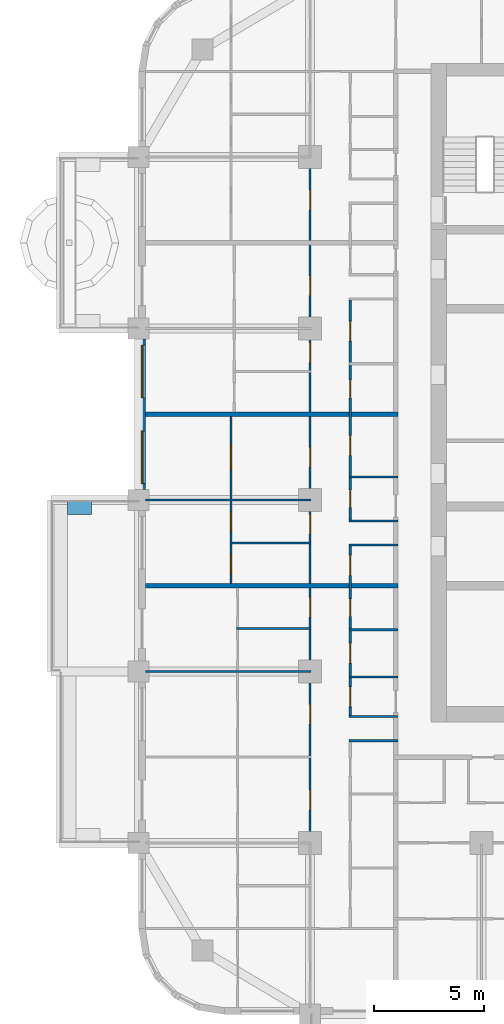
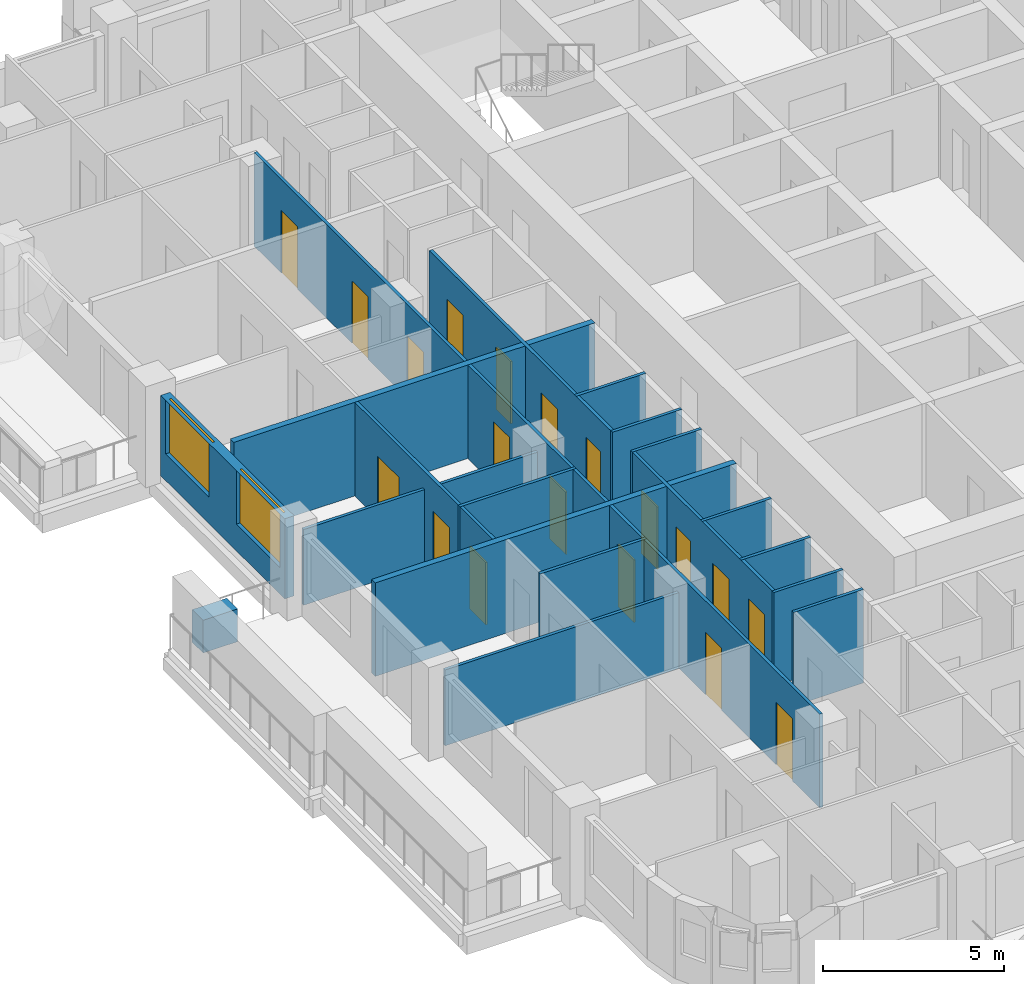
# One storey, part 5 of 19: 19 doors, 19 walls, 2 windows, 21 openings.
"""IFC4 building model written with IfcOpenShell, lengths in metres."""

from ifc_helpers import new_model, si_unit, direction, frame, frame_2d, origin, place, context, subcontext, project, spatial, rectangle, extrude, material, layer, layer_set, type_object, element, fill, save


model = new_model("IFC4")

# Units and contexts
model_context = context("Model", 3, precision=1e-05, world=origin(), true_north=direction((0.0, 1.0)))
body_context = subcontext(model_context, "Body", "Model", "MODEL_VIEW")
ifc_project = project(units=[si_unit("LENGTHUNIT", "METRE"), si_unit("AREAUNIT", "SQUARE_METRE"), si_unit("VOLUMEUNIT", "CUBIC_METRE"), si_unit("PLANEANGLEUNIT", "RADIAN"), si_unit("MASSUNIT", "GRAM", prefix="KILO")], contexts=[model_context])

# Site, building, storey
site_placement = place(None, origin())
site = spatial("IfcSite", under=ifc_project, at=site_placement, CompositionType="ELEMENT")
building_placement = place(site_placement, origin())
building = spatial("IfcBuilding", under=site, at=building_placement, Name="Ludao Terraces", CompositionType="ELEMENT")
storey_placement = place(building_placement, frame((0.0, 0.0, 68.199951171875)))
storey = spatial("IfcBuildingStorey", under=building, at=storey_placement, Name="L18", CompositionType="ELEMENT", Elevation=68.199951171875)

# Wall
ifc_material_1 = material(Name="Concrete C40", Category="concrete")
ifc_layer_1 = layer(ifc_material_1, 0.60009765625)
ifc_layer_set_1 = layer_set([ifc_layer_1], Name="ENV Planter trough 600")
wall_type_1 = type_object("IfcWallType", Name="ENV Planter trough 600", PredefinedType="USERDEFINED", material=ifc_layer_set_1)
wall_1_placement = place(storey_placement, frame((58.35009765625, 64.64990234375, 0.0), z_axis=(0.0, 0.0, 1.0), x_axis=(1.0, 0.0, 0.0)))
element("IfcWall", 1, at=wall_1_placement, inside=storey, type_object=wall_type_1, Name="PL-L18-W2-SB", ObjectType="PLANTER", PredefinedType="USERDEFINED", context=body_context, shape_type="SweptSolid", body=[
    extrude(rectangle(XDim=1.099853515625, YDim=0.60009765625, at=frame_2d((0.5498046875, 0.0))), origin(), (0.0, 0.0, 1.0), 1.10009765625),
])

# Wall, openings, windows
ifc_material_2 = material(Name="Granite cladding", Category="masonry")
ifc_layer_2 = layer(ifc_material_2, 0.0400390625, Category="stone")
ifc_material_3 = material(Name="Mineral wool")
ifc_layer_3 = layer(ifc_material_3, 0.06005859375)
ifc_layer_4 = layer(ifc_material_1, 0.199951171875, Category="concrete")
ifc_layer_set_2 = layer_set([ifc_layer_2, ifc_layer_3, ifc_layer_4], Name="ENV Stone-clad wall 300")
wall_type_2 = type_object("IfcWallType", Name="ENV Stone-clad wall 300", PredefinedType="SOLIDWALL", material=ifc_layer_set_2)
wall_2_placement = place(storey_placement, frame((61.75, 65.47509765625, 0.0), z_axis=(0.0, 0.0, 1.0), x_axis=(0.0, 1.0, 0.0)))
wall_2 = element("IfcWall", 2, at=wall_2_placement, inside=storey, type_object=wall_type_2, Name="EW-L18-W4", PredefinedType="SOLIDWALL", context=body_context, shape_type="SweptSolid", body=[
    extrude(rectangle(XDim=6.849853515625, YDim=0.300048828125, at=frame_2d((3.4248046875, 0.0))), origin(), (0.0, 0.0, 1.0), 2.699951171875),
])
opening_1_placement = place(wall_2_placement, frame((0.27490234375, 0.0, 0.89990234375)))
opening_1 = element("IfcOpeningElement", 3, at=opening_1_placement, cuts=wall_2, Name="Opening W1", PredefinedType="OPENING", context=body_context, shape_type="SweptSolid", body=[
    extrude(rectangle(XDim=2.39990234375, YDim=1.800048828125, at=frame_2d((1.199951171875, 0.89990234375))), frame((0.0, 0.16015625, 0.0), z_axis=(0.0, -1.0, 0.0), x_axis=(1.0, 0.0, 0.0)), (0.0, 0.0, 1.0), 0.320068359375),
])
opening_2_placement = place(wall_2_placement, frame((4.175048828125, 0.0, 0.89990234375)))
opening_2 = element("IfcOpeningElement", 4, at=opening_2_placement, cuts=wall_2, Name="Opening W1", PredefinedType="OPENING", context=body_context, shape_type="SweptSolid", body=[
    extrude(rectangle(XDim=2.39990234375, YDim=1.800048828125, at=frame_2d((1.199951171875, 0.89990234375))), frame((0.0, 0.16015625, 0.0), z_axis=(0.0, -1.0, 0.0), x_axis=(1.0, 0.0, 0.0)), (0.0, 0.0, 1.0), 0.320068359375),
])
ifc_material_4 = material(Name="Clear glass in aluminium frame", Category="aluminium")
ifc_layer_5 = layer(ifc_material_4, 0.06005859375)
ifc_layer_set_3 = layer_set([ifc_layer_5], Name="ENV Window W1 2400x1800")
window_type = type_object("IfcWindowType", Name="ENV Window W1 2400x1800", PartitioningType="DOUBLE_PANEL_VERTICAL", PredefinedType="WINDOW", material=ifc_layer_set_3)
window_1_placement = place(opening_1_placement, origin())
window_1 = element("IfcWindow", 5, at=window_1_placement, inside=storey, type_object=window_type, Name="W-L18-W4-1", OverallHeight=1.800048828125, OverallWidth=2.39990234375, PartitioningType="DOUBLE_PANEL_VERTICAL", PredefinedType="WINDOW", context=body_context, shape_type="SweptSolid", body=[
    extrude(rectangle(XDim=2.39990234375, YDim=1.800048828125, at=frame_2d((1.199951171875, 0.89990234375))), frame((0.0, 0.030029296875, 0.0), z_axis=(0.0, -1.0, 0.0), x_axis=(1.0, 0.0, 0.0)), (0.0, 0.0, 1.0), 0.06005859375),
])
fill(opening_1, window_1)
window_2_placement = place(opening_2_placement, origin())
window_2 = element("IfcWindow", 6, at=window_2_placement, inside=storey, type_object=window_type, Name="W-L18-W4-2", OverallHeight=1.800048828125, OverallWidth=2.39990234375, PartitioningType="DOUBLE_PANEL_VERTICAL", PredefinedType="WINDOW", context=body_context, shape_type="SweptSolid", body=[
    extrude(rectangle(XDim=2.39990234375, YDim=1.800048828125, at=frame_2d((1.199951171875, 0.89990234375))), frame((0.0, 0.030029296875, 0.0), z_axis=(0.0, -1.0, 0.0), x_axis=(1.0, 0.0, 0.0)), (0.0, 0.0, 1.0), 0.06005859375),
])
fill(opening_2, window_2)

# Walls
ifc_material_5 = material(Name="Gypsum plasterboard", Category="gypsum")
ifc_layer_6 = layer(ifc_material_5, 0.012451171875, Category="gypsum")
ifc_layer_7 = layer(ifc_material_3, 0.06005859375, Name="insulation")
ifc_material_6 = material(Name="Steel Q235", Category="steel")
ifc_layer_8 = layer(ifc_material_6, 0.014892578125, Name="stud")
ifc_layer_9 = layer(ifc_material_5, 0.012451171875, Category="gypsum")
ifc_layer_set_4 = layer_set([ifc_layer_6, ifc_layer_7, ifc_layer_8, ifc_layer_9], Name="INT Partition 100")
wall_type_3 = type_object("IfcWallType", Name="INT Partition 100", PredefinedType="PARTITIONING", material=ifc_layer_set_4)
for number, where, z_axis, x_axis, name in (
    (7, (71.18017578125, 54.050048828125, 0.0), (0.0, 0.0, 1.0), (1.0, 0.0, 0.0), "PW-L18-PW022"),
    (8, (71.18017578125, 55.14990234375, 0.0), (0.0, 0.0, 1.0), (1.0, 0.0, 0.0), "PW-L18-PW024"),
    (9, (71.18017578125, 56.949951171875, 0.0), (0.0, 0.0, 1.0), (1.0, 0.0, 0.0), "PW-L18-PW026"),
):
    element("IfcWall", number, at=place(storey_placement, frame(where, z_axis=z_axis, x_axis=x_axis)), inside=storey, type_object=wall_type_3, Name=name, PredefinedType="PARTITIONING", context=body_context, shape_type="SweptSolid", body=[
        extrude(rectangle(XDim=2.219970703125, YDim=0.10009765625, at=frame_2d((1.10986328125, 0.0))), origin(), (0.0, 0.0, 1.0), 3.150146484375),
    ])
wall_3_placement = place(storey_placement, frame((61.900146484375, 57.199951171875, 0.0), z_axis=(0.0, 0.0, 1.0), x_axis=(1.0, 0.0, 0.0)))
element("IfcWall", 10, at=wall_3_placement, inside=storey, type_object=wall_type_3, Name="PW-L18-PW027", PredefinedType="PARTITIONING", context=body_context, shape_type="SweptSolid", body=[
    extrude(rectangle(XDim=7.550048828125, YDim=0.10009765625, at=frame_2d((3.77490234375, 0.0))), origin(), (0.0, 0.0, 1.0), 2.550048828125),
])
wall_4_placement = place(storey_placement, frame((71.18017578125, 59.10009765625, 0.0), z_axis=(0.0, 0.0, 1.0), x_axis=(1.0, 0.0, 0.0)))
element("IfcWall", 11, at=wall_4_placement, inside=storey, type_object=wall_type_3, Name="PW-L18-PW029", PredefinedType="PARTITIONING", context=body_context, shape_type="SweptSolid", body=[
    extrude(rectangle(XDim=2.219970703125, YDim=0.10009765625, at=frame_2d((1.10986328125, 0.0))), origin(), (0.0, 0.0, 1.0), 3.150146484375),
])
wall_5_placement = place(storey_placement, frame((66.050048828125, 59.14990234375, 0.0), z_axis=(0.0, 0.0, 1.0), x_axis=(1.0, 0.0, 0.0)))
element("IfcWall", 12, at=wall_5_placement, inside=storey, type_object=wall_type_3, Name="PW-L18-PW030", PredefinedType="PARTITIONING", context=body_context, shape_type="SweptSolid", body=[
    extrude(rectangle(XDim=3.400146484375, YDim=0.10009765625, at=frame_2d((1.7001953125, 0.0))), origin(), (0.0, 0.0, 1.0), 3.150146484375),
])
wall_6_placement = place(storey_placement, frame((71.18017578125, 62.949951171875, 0.0), z_axis=(0.0, 0.0, 1.0), x_axis=(1.0, 0.0, 0.0)))
element("IfcWall", 13, at=wall_6_placement, inside=storey, type_object=wall_type_3, Name="PW-L18-PW037", PredefinedType="PARTITIONING", context=body_context, shape_type="SweptSolid", body=[
    extrude(rectangle(XDim=2.219970703125, YDim=0.10009765625, at=frame_2d((1.10986328125, 0.0))), origin(), (0.0, 0.0, 1.0), 3.150146484375),
])
wall_7_placement = place(storey_placement, frame((65.75, 63.050048828125, 0.0), z_axis=(0.0, 0.0, 1.0), x_axis=(1.0, 0.0, 0.0)))
element("IfcWall", 14, at=wall_7_placement, inside=storey, type_object=wall_type_3, Name="PW-L18-PW038", PredefinedType="PARTITIONING", context=body_context, shape_type="SweptSolid", body=[
    extrude(rectangle(XDim=3.7001953125, YDim=0.10009765625, at=frame_2d((1.85009765625, 0.0))), origin(), (0.0, 0.0, 1.0), 3.150146484375),
])
wall_8_placement = place(storey_placement, frame((71.18017578125, 64.050048828125, 0.0), z_axis=(0.0, 0.0, 1.0), x_axis=(1.0, 0.0, 0.0)))
element("IfcWall", 15, at=wall_8_placement, inside=storey, type_object=wall_type_3, Name="PW-L18-PW041", PredefinedType="PARTITIONING", context=body_context, shape_type="SweptSolid", body=[
    extrude(rectangle(XDim=2.219970703125, YDim=0.10009765625, at=frame_2d((1.10986328125, 0.0))), origin(), (0.0, 0.0, 1.0), 3.150146484375),
])
wall_9_placement = place(storey_placement, frame((61.900146484375, 65.0, 0.0), z_axis=(0.0, 0.0, 1.0), x_axis=(1.0, 0.0, 0.0)))
element("IfcWall", 16, at=wall_9_placement, inside=storey, type_object=wall_type_3, Name="PW-L18-PW042", PredefinedType="PARTITIONING", context=body_context, shape_type="SweptSolid", body=[
    extrude(rectangle(XDim=7.550048828125, YDim=0.10009765625, at=frame_2d((3.77490234375, 0.0))), origin(), (0.0, 0.0, 1.0), 2.550048828125),
])
wall_10_placement = place(storey_placement, frame((71.18017578125, 66.050048828125, 0.0), z_axis=(0.0, 0.0, 1.0), x_axis=(1.0, 0.0, 0.0)))
element("IfcWall", 17, at=wall_10_placement, inside=storey, type_object=wall_type_3, Name="PW-L18-PW044", PredefinedType="PARTITIONING", context=body_context, shape_type="SweptSolid", body=[
    extrude(rectangle(XDim=2.219970703125, YDim=0.10009765625, at=frame_2d((1.10986328125, 0.0))), origin(), (0.0, 0.0, 1.0), 3.150146484375),
])

# Wall, openings, doors
wall_11_placement = place(storey_placement, frame((65.800048828125, 61.2001953125, 0.0), z_axis=(0.0, 0.0, 1.0), x_axis=(0.0, 1.0, 0.0)))
wall_11 = element("IfcWall", 18, at=wall_11_placement, inside=storey, type_object=wall_type_3, Name="PW-L18-PW081", PredefinedType="PARTITIONING", context=body_context, shape_type="SweptSolid", body=[
    extrude(rectangle(XDim=7.599853515625, YDim=0.10009765625, at=frame_2d((3.7998046875, 0.0))), origin(), (0.0, 0.0, 1.0), 3.150146484375),
])
opening_3_placement = place(wall_11_placement, frame((0.4248046875, 0.0, 0.0)))
opening_3 = element("IfcOpeningElement", 19, at=opening_3_placement, cuts=wall_11, Name="Opening R05-076", PredefinedType="OPENING", context=body_context, shape_type="SweptSolid", body=[
    extrude(rectangle(XDim=0.89990234375, YDim=2.10009765625, at=frame_2d((0.449951171875, 1.050048828125))), frame((0.0, 0.06005859375, 0.0), z_axis=(0.0, -1.0, 0.0), x_axis=(1.0, 0.0, 0.0)), (0.0, 0.0, 1.0), 0.1201171875),
])
opening_4_placement = place(wall_11_placement, frame((2.375, 0.0, 0.0)))
opening_4 = element("IfcOpeningElement", 20, at=opening_4_placement, cuts=wall_11, Name="Opening R05-085", PredefinedType="OPENING", context=body_context, shape_type="SweptSolid", body=[
    extrude(rectangle(XDim=0.89990234375, YDim=2.10009765625, at=frame_2d((0.449951171875, 1.050048828125))), frame((0.0, 0.06005859375, 0.0), z_axis=(0.0, -1.0, 0.0), x_axis=(1.0, 0.0, 0.0)), (0.0, 0.0, 1.0), 0.1201171875),
])
opening_5_placement = place(wall_11_placement, frame((5.14990234375, 0.0, 0.0)))
opening_5 = element("IfcOpeningElement", 21, at=opening_5_placement, cuts=wall_11, Name="Opening R05-094", PredefinedType="OPENING", context=body_context, shape_type="SweptSolid", body=[
    extrude(rectangle(XDim=1.199951171875, YDim=2.10009765625, at=frame_2d((0.60009765625, 1.050048828125))), frame((0.0, 0.06005859375, 0.0), z_axis=(0.0, -1.0, 0.0), x_axis=(1.0, 0.0, 0.0)), (0.0, 0.0, 1.0), 0.1201171875),
])
ifc_material_7 = material(Name="Timber door leaf", Category="wood")
door_type_1 = type_object("IfcDoorType", Name="INT Bathroom door 900", OperationType="SINGLE_SWING_LEFT", PredefinedType="DOOR", material=ifc_material_7)
door_1_placement = place(opening_3_placement, origin())
door_1 = element("IfcDoor", 22, at=door_1_placement, inside=storey, type_object=door_type_1, Name="DOOR 076", OperationType="SINGLE_SWING_RIGHT", OverallHeight=2.10009765625, OverallWidth=0.89990234375, PredefinedType="DOOR", context=body_context, shape_type="SweptSolid", body=[
    extrude(rectangle(XDim=0.89990234375, YDim=2.10009765625, at=frame_2d((0.449951171875, 1.050048828125))), frame((0.0, 0.02490234375, 0.0), z_axis=(0.0, -1.0, 0.0), x_axis=(1.0, 0.0, 0.0)), (0.0, 0.0, 1.0), 0.050048828125),
])
fill(opening_3, door_1)
door_type_2 = type_object("IfcDoorType", Name="INT Double door 1200", OperationType="DOUBLE_DOOR_SINGLE_SWING", PredefinedType="DOOR", material=ifc_material_7)
door_2_placement = place(opening_5_placement, origin())
door_2 = element("IfcDoor", 23, at=door_2_placement, inside=storey, type_object=door_type_2, Name="DOOR 094", OperationType="DOUBLE_DOOR_SINGLE_SWING", OverallHeight=2.10009765625, OverallWidth=1.199951171875, PredefinedType="DOOR", context=body_context, shape_type="SweptSolid", body=[
    extrude(rectangle(XDim=1.199951171875, YDim=2.10009765625, at=frame_2d((0.60009765625, 1.050048828125))), frame((0.0, 0.02490234375, 0.0), z_axis=(0.0, -1.0, 0.0), x_axis=(1.0, 0.0, 0.0)), (0.0, 0.0, 1.0), 0.050048828125),
])
fill(opening_5, door_2)
door_type_3 = type_object("IfcDoorType", Name="INT Room door 900", OperationType="SINGLE_SWING_LEFT", PredefinedType="DOOR", material=ifc_material_7)
door_3_placement = place(opening_4_placement, origin())
door_3 = element("IfcDoor", 24, at=door_3_placement, inside=storey, type_object=door_type_3, Name="DOOR 085", OperationType="SINGLE_SWING_RIGHT", OverallHeight=2.10009765625, OverallWidth=0.89990234375, PredefinedType="DOOR", context=body_context, shape_type="SweptSolid", body=[
    extrude(rectangle(XDim=0.89990234375, YDim=2.10009765625, at=frame_2d((0.449951171875, 1.050048828125))), frame((0.0, 0.02490234375, 0.0), z_axis=(0.0, -1.0, 0.0), x_axis=(1.0, 0.0, 0.0)), (0.0, 0.0, 1.0), 0.050048828125),
])
fill(opening_4, door_3)

wall_12_placement = place(storey_placement, frame((69.39990234375, 49.39990234375, 0.0), z_axis=(0.0, 0.0, 1.0), x_axis=(0.0, 1.0, 0.0)))
wall_12 = element("IfcWall", 25, at=wall_12_placement, inside=storey, type_object=wall_type_3, Name="PW-L18-PW085-2", PredefinedType="PARTITIONING", context=body_context, shape_type="SweptSolid", body=[
    extrude(rectangle(XDim=31.2001953125, YDim=0.10009765625, at=frame_2d((15.60009765625, 0.0))), origin(), (0.0, 0.0, 1.0), 3.150146484375),
])
opening_6_placement = place(wall_12_placement, frame((1.500244140625, 0.0, 0.0)))
opening_6 = element("IfcOpeningElement", 26, at=opening_6_placement, cuts=wall_12, Name="Opening R05-043", PredefinedType="OPENING", context=body_context, shape_type="SweptSolid", body=[
    extrude(rectangle(XDim=0.89990234375, YDim=2.10009765625, at=frame_2d((0.449951171875, 1.050048828125))), frame((0.0, 0.06005859375, 0.0), z_axis=(0.0, -1.0, 0.0), x_axis=(1.0, 0.0, 0.0)), (0.0, 0.0, 1.0), 0.1201171875),
])
opening_7_placement = place(wall_12_placement, frame((5.400146484375, 0.0, 0.0)))
opening_7 = element("IfcOpeningElement", 27, at=opening_7_placement, cuts=wall_12, Name="Opening R05-053", PredefinedType="OPENING", context=body_context, shape_type="SweptSolid", body=[
    extrude(rectangle(XDim=0.89990234375, YDim=2.10009765625, at=frame_2d((0.449951171875, 1.050048828125))), frame((0.0, 0.06005859375, 0.0), z_axis=(0.0, -1.0, 0.0), x_axis=(1.0, 0.0, 0.0)), (0.0, 0.0, 1.0), 0.1201171875),
])
opening_8_placement = place(wall_12_placement, frame((10.275146484375, 0.0, 0.0)))
opening_8 = element("IfcOpeningElement", 28, at=opening_8_placement, cuts=wall_12, Name="Opening R05-071", PredefinedType="OPENING", context=body_context, shape_type="SweptSolid", body=[
    extrude(rectangle(XDim=0.89990234375, YDim=2.10009765625, at=frame_2d((0.449951171875, 1.050048828125))), frame((0.0, 0.06005859375, 0.0), z_axis=(0.0, -1.0, 0.0), x_axis=(1.0, 0.0, 0.0)), (0.0, 0.0, 1.0), 0.1201171875),
])
opening_9_placement = place(wall_12_placement, frame((14.05029296875, 0.0, 0.0)))
opening_9 = element("IfcOpeningElement", 29, at=opening_9_placement, cuts=wall_12, Name="Opening R05-083", PredefinedType="OPENING", context=body_context, shape_type="SweptSolid", body=[
    extrude(rectangle(XDim=0.89990234375, YDim=2.10009765625, at=frame_2d((0.449951171875, 1.050048828125))), frame((0.0, 0.06005859375, 0.0), z_axis=(0.0, -1.0, 0.0), x_axis=(1.0, 0.0, 0.0)), (0.0, 0.0, 1.0), 0.1201171875),
])
opening_10_placement = place(wall_12_placement, frame((17.10009765625, 0.0, 0.0)))
opening_10 = element("IfcOpeningElement", 30, at=opening_10_placement, cuts=wall_12, Name="Opening R05-095", PredefinedType="OPENING", context=body_context, shape_type="SweptSolid", body=[
    extrude(rectangle(XDim=0.89990234375, YDim=2.10009765625, at=frame_2d((0.449951171875, 1.050048828125))), frame((0.0, 0.06005859375, 0.0), z_axis=(0.0, -1.0, 0.0), x_axis=(1.0, 0.0, 0.0)), (0.0, 0.0, 1.0), 0.1201171875),
])
opening_11_placement = place(wall_12_placement, frame((21.85009765625, 0.0, 0.0)))
opening_11 = element("IfcOpeningElement", 31, at=opening_11_placement, cuts=wall_12, Name="Opening R05-109", PredefinedType="OPENING", context=body_context, shape_type="SweptSolid", body=[
    extrude(rectangle(XDim=0.89990234375, YDim=2.10009765625, at=frame_2d((0.449951171875, 1.050048828125))), frame((0.0, 0.06005859375, 0.0), z_axis=(0.0, -1.0, 0.0), x_axis=(1.0, 0.0, 0.0)), (0.0, 0.0, 1.0), 0.1201171875),
])
opening_12_placement = place(wall_12_placement, frame((24.900146484375, 0.0, 0.0)))
opening_12 = element("IfcOpeningElement", 32, at=opening_12_placement, cuts=wall_12, Name="Opening R05-120", PredefinedType="OPENING", context=body_context, shape_type="SweptSolid", body=[
    extrude(rectangle(XDim=0.89990234375, YDim=2.10009765625, at=frame_2d((0.449951171875, 1.050048828125))), frame((0.0, 0.06005859375, 0.0), z_axis=(0.0, -1.0, 0.0), x_axis=(1.0, 0.0, 0.0)), (0.0, 0.0, 1.0), 0.1201171875),
])
opening_13_placement = place(wall_12_placement, frame((28.80029296875, 0.0, 0.0)))
opening_13 = element("IfcOpeningElement", 33, at=opening_13_placement, cuts=wall_12, Name="Opening R05-138", PredefinedType="OPENING", context=body_context, shape_type="SweptSolid", body=[
    extrude(rectangle(XDim=0.89990234375, YDim=2.10009765625, at=frame_2d((0.449951171875, 1.050048828125))), frame((0.0, 0.06005859375, 0.0), z_axis=(0.0, -1.0, 0.0), x_axis=(1.0, 0.0, 0.0)), (0.0, 0.0, 1.0), 0.1201171875),
])
door_4_placement = place(opening_6_placement, origin())
door_4 = element("IfcDoor", 34, at=door_4_placement, inside=storey, type_object=door_type_3, Name="DOOR 043", OperationType="SINGLE_SWING_RIGHT", OverallHeight=2.10009765625, OverallWidth=0.89990234375, PredefinedType="DOOR", context=body_context, shape_type="SweptSolid", body=[
    extrude(rectangle(XDim=0.89990234375, YDim=2.10009765625, at=frame_2d((0.449951171875, 1.050048828125))), frame((0.0, 0.02490234375, 0.0), z_axis=(0.0, -1.0, 0.0), x_axis=(1.0, 0.0, 0.0)), (0.0, 0.0, 1.0), 0.050048828125),
])
fill(opening_6, door_4)
door_5_placement = place(opening_7_placement, origin())
door_5 = element("IfcDoor", 35, at=door_5_placement, inside=storey, type_object=door_type_3, Name="DOOR 053", OperationType="SINGLE_SWING_LEFT", OverallHeight=2.10009765625, OverallWidth=0.89990234375, PredefinedType="DOOR", context=body_context, shape_type="SweptSolid", body=[
    extrude(rectangle(XDim=0.89990234375, YDim=2.10009765625, at=frame_2d((0.449951171875, 1.050048828125))), frame((0.0, 0.02490234375, 0.0), z_axis=(0.0, -1.0, 0.0), x_axis=(1.0, 0.0, 0.0)), (0.0, 0.0, 1.0), 0.050048828125),
])
fill(opening_7, door_5)
door_6_placement = place(opening_8_placement, origin())
door_6 = element("IfcDoor", 36, at=door_6_placement, inside=storey, type_object=door_type_3, Name="DOOR 071", OperationType="SINGLE_SWING_RIGHT", OverallHeight=2.10009765625, OverallWidth=0.89990234375, PredefinedType="DOOR", context=body_context, shape_type="SweptSolid", body=[
    extrude(rectangle(XDim=0.89990234375, YDim=2.10009765625, at=frame_2d((0.449951171875, 1.050048828125))), frame((0.0, 0.02490234375, 0.0), z_axis=(0.0, -1.0, 0.0), x_axis=(1.0, 0.0, 0.0)), (0.0, 0.0, 1.0), 0.050048828125),
])
fill(opening_8, door_6)
door_7_placement = place(opening_9_placement, origin())
door_7 = element("IfcDoor", 37, at=door_7_placement, inside=storey, type_object=door_type_3, Name="DOOR 083", OperationType="SINGLE_SWING_LEFT", OverallHeight=2.10009765625, OverallWidth=0.89990234375, PredefinedType="DOOR", context=body_context, shape_type="SweptSolid", body=[
    extrude(rectangle(XDim=0.89990234375, YDim=2.10009765625, at=frame_2d((0.449951171875, 1.050048828125))), frame((0.0, 0.02490234375, 0.0), z_axis=(0.0, -1.0, 0.0), x_axis=(1.0, 0.0, 0.0)), (0.0, 0.0, 1.0), 0.050048828125),
])
fill(opening_9, door_7)
door_8_placement = place(opening_10_placement, origin())
door_8 = element("IfcDoor", 38, at=door_8_placement, inside=storey, type_object=door_type_3, Name="DOOR 095", OperationType="SINGLE_SWING_LEFT", OverallHeight=2.10009765625, OverallWidth=0.89990234375, PredefinedType="DOOR", context=body_context, shape_type="SweptSolid", body=[
    extrude(rectangle(XDim=0.89990234375, YDim=2.10009765625, at=frame_2d((0.449951171875, 1.050048828125))), frame((0.0, 0.02490234375, 0.0), z_axis=(0.0, -1.0, 0.0), x_axis=(1.0, 0.0, 0.0)), (0.0, 0.0, 1.0), 0.050048828125),
])
fill(opening_10, door_8)
door_9_placement = place(opening_11_placement, origin())
door_9 = element("IfcDoor", 39, at=door_9_placement, inside=storey, type_object=door_type_3, Name="DOOR 109", OperationType="SINGLE_SWING_LEFT", OverallHeight=2.10009765625, OverallWidth=0.89990234375, PredefinedType="DOOR", context=body_context, shape_type="SweptSolid", body=[
    extrude(rectangle(XDim=0.89990234375, YDim=2.10009765625, at=frame_2d((0.449951171875, 1.050048828125))), frame((0.0, 0.02490234375, 0.0), z_axis=(0.0, -1.0, 0.0), x_axis=(1.0, 0.0, 0.0)), (0.0, 0.0, 1.0), 0.050048828125),
])
fill(opening_11, door_9)
door_10_placement = place(opening_12_placement, origin())
door_10 = element("IfcDoor", 40, at=door_10_placement, inside=storey, type_object=door_type_3, Name="DOOR 120", OperationType="SINGLE_SWING_RIGHT", OverallHeight=2.10009765625, OverallWidth=0.89990234375, PredefinedType="DOOR", context=body_context, shape_type="SweptSolid", body=[
    extrude(rectangle(XDim=0.89990234375, YDim=2.10009765625, at=frame_2d((0.449951171875, 1.050048828125))), frame((0.0, 0.02490234375, 0.0), z_axis=(0.0, -1.0, 0.0), x_axis=(1.0, 0.0, 0.0)), (0.0, 0.0, 1.0), 0.050048828125),
])
fill(opening_12, door_10)
door_11_placement = place(opening_13_placement, origin())
door_11 = element("IfcDoor", 41, at=door_11_placement, inside=storey, type_object=door_type_3, Name="DOOR 138", OperationType="SINGLE_SWING_LEFT", OverallHeight=2.10009765625, OverallWidth=0.89990234375, PredefinedType="DOOR", context=body_context, shape_type="SweptSolid", body=[
    extrude(rectangle(XDim=0.89990234375, YDim=2.10009765625, at=frame_2d((0.449951171875, 1.050048828125))), frame((0.0, 0.02490234375, 0.0), z_axis=(0.0, -1.0, 0.0), x_axis=(1.0, 0.0, 0.0)), (0.0, 0.0, 1.0), 0.050048828125),
])
fill(opening_13, door_11)

wall_13_placement = place(storey_placement, frame((71.22998046875, 55.2001953125, 0.0), z_axis=(0.0, 0.0, 1.0), x_axis=(0.0, 1.0, 0.0)))
wall_13 = element("IfcWall", 42, at=wall_13_placement, inside=storey, type_object=wall_type_3, Name="PW-L18-PW087", PredefinedType="PARTITIONING", context=body_context, shape_type="SweptSolid", body=[
    extrude(rectangle(XDim=7.699951171875, YDim=0.10009765625, at=frame_2d((3.85009765625, 0.0))), origin(), (0.0, 0.0, 1.0), 3.150146484375),
])
opening_14_placement = place(wall_13_placement, frame((0.39990234375, 0.0, 0.0)))
opening_14 = element("IfcOpeningElement", 43, at=opening_14_placement, cuts=wall_13, Name="Opening R05-057", PredefinedType="OPENING", context=body_context, shape_type="SweptSolid", body=[
    extrude(rectangle(XDim=0.89990234375, YDim=2.10009765625, at=frame_2d((0.449951171875, 1.050048828125))), frame((0.0, 0.06005859375, 0.0), z_axis=(0.0, -1.0, 0.0), x_axis=(1.0, 0.0, 0.0)), (0.0, 0.0, 1.0), 0.1201171875),
])
opening_15_placement = place(wall_13_placement, frame((2.375, 0.0, 0.0)))
opening_15 = element("IfcOpeningElement", 44, at=opening_15_placement, cuts=wall_13, Name="Opening R05-063", PredefinedType="OPENING", context=body_context, shape_type="SweptSolid", body=[
    extrude(rectangle(XDim=0.89990234375, YDim=2.10009765625, at=frame_2d((0.449951171875, 1.050048828125))), frame((0.0, 0.06005859375, 0.0), z_axis=(0.0, -1.0, 0.0), x_axis=(1.0, 0.0, 0.0)), (0.0, 0.0, 1.0), 0.1201171875),
])
opening_16_placement = place(wall_13_placement, frame((4.5, 0.0, 0.0)))
opening_16 = element("IfcOpeningElement", 45, at=opening_16_placement, cuts=wall_13, Name="Opening R05-069", PredefinedType="OPENING", context=body_context, shape_type="SweptSolid", body=[
    extrude(rectangle(XDim=0.800048828125, YDim=2.10009765625, at=frame_2d((0.39990234375, 1.050048828125))), frame((0.0, 0.06005859375, 0.0), z_axis=(0.0, -1.0, 0.0), x_axis=(1.0, 0.0, 0.0)), (0.0, 0.0, 1.0), 0.1201171875),
])
opening_17_placement = place(wall_13_placement, frame((6.375, 0.0, 0.0)))
opening_17 = element("IfcOpeningElement", 46, at=opening_17_placement, cuts=wall_13, Name="Opening R05-075", PredefinedType="OPENING", context=body_context, shape_type="SweptSolid", body=[
    extrude(rectangle(XDim=0.89990234375, YDim=2.10009765625, at=frame_2d((0.449951171875, 1.050048828125))), frame((0.0, 0.06005859375, 0.0), z_axis=(0.0, -1.0, 0.0), x_axis=(1.0, 0.0, 0.0)), (0.0, 0.0, 1.0), 0.1201171875),
])
door_12_placement = place(opening_14_placement, origin())
door_12 = element("IfcDoor", 47, at=door_12_placement, inside=storey, type_object=door_type_1, Name="DOOR 057", OperationType="SINGLE_SWING_RIGHT", OverallHeight=2.10009765625, OverallWidth=0.89990234375, PredefinedType="DOOR", context=body_context, shape_type="SweptSolid", body=[
    extrude(rectangle(XDim=0.89990234375, YDim=2.10009765625, at=frame_2d((0.449951171875, 1.050048828125))), frame((0.0, 0.02490234375, 0.0), z_axis=(0.0, -1.0, 0.0), x_axis=(1.0, 0.0, 0.0)), (0.0, 0.0, 1.0), 0.050048828125),
])
fill(opening_14, door_12)
door_13_placement = place(opening_15_placement, origin())
door_13 = element("IfcDoor", 48, at=door_13_placement, inside=storey, type_object=door_type_1, Name="DOOR 063", OperationType="SINGLE_SWING_RIGHT", OverallHeight=2.10009765625, OverallWidth=0.89990234375, PredefinedType="DOOR", context=body_context, shape_type="SweptSolid", body=[
    extrude(rectangle(XDim=0.89990234375, YDim=2.10009765625, at=frame_2d((0.449951171875, 1.050048828125))), frame((0.0, 0.02490234375, 0.0), z_axis=(0.0, -1.0, 0.0), x_axis=(1.0, 0.0, 0.0)), (0.0, 0.0, 1.0), 0.050048828125),
])
fill(opening_15, door_13)
door_14_placement = place(opening_17_placement, origin())
door_14 = element("IfcDoor", 49, at=door_14_placement, inside=storey, type_object=door_type_1, Name="DOOR 075", OperationType="SINGLE_SWING_RIGHT", OverallHeight=2.10009765625, OverallWidth=0.89990234375, PredefinedType="DOOR", context=body_context, shape_type="SweptSolid", body=[
    extrude(rectangle(XDim=0.89990234375, YDim=2.10009765625, at=frame_2d((0.449951171875, 1.050048828125))), frame((0.0, 0.02490234375, 0.0), z_axis=(0.0, -1.0, 0.0), x_axis=(1.0, 0.0, 0.0)), (0.0, 0.0, 1.0), 0.050048828125),
])
fill(opening_17, door_14)
door_type_4 = type_object("IfcDoorType", Name="INT Store door 800", OperationType="SINGLE_SWING_LEFT", PredefinedType="DOOR", material=ifc_material_7)
door_15_placement = place(opening_16_placement, origin())
door_15 = element("IfcDoor", 50, at=door_15_placement, inside=storey, type_object=door_type_4, Name="DOOR 069", OperationType="SINGLE_SWING_LEFT", OverallHeight=2.10009765625, OverallWidth=0.800048828125, PredefinedType="DOOR", context=body_context, shape_type="SweptSolid", body=[
    extrude(rectangle(XDim=0.800048828125, YDim=2.10009765625, at=frame_2d((0.39990234375, 1.050048828125))), frame((0.0, 0.02490234375, 0.0), z_axis=(0.0, -1.0, 0.0), x_axis=(1.0, 0.0, 0.0)), (0.0, 0.0, 1.0), 0.050048828125),
])
fill(opening_16, door_15)

wall_14_placement = place(storey_placement, frame((71.22998046875, 64.10009765625, 0.0), z_axis=(0.0, 0.0, 1.0), x_axis=(0.0, 1.0, 0.0)))
wall_14 = element("IfcWall", 51, at=wall_14_placement, inside=storey, type_object=wall_type_3, Name="PW-L18-PW088", PredefinedType="PARTITIONING", context=body_context, shape_type="SweptSolid", body=[
    extrude(rectangle(XDim=10.0, YDim=0.10009765625, at=frame_2d((5.0, 0.0))), origin(), (0.0, 0.0, 1.0), 3.150146484375),
])
opening_18_placement = place(wall_14_placement, frame((0.550048828125, 0.0, 0.0)))
opening_18 = element("IfcOpeningElement", 52, at=opening_18_placement, cuts=wall_14, Name="Opening R05-089", PredefinedType="OPENING", context=body_context, shape_type="SweptSolid", body=[
    extrude(rectangle(XDim=0.800048828125, YDim=2.10009765625, at=frame_2d((0.39990234375, 1.050048828125))), frame((0.0, 0.06005859375, 0.0), z_axis=(0.0, -1.0, 0.0), x_axis=(1.0, 0.0, 0.0)), (0.0, 0.0, 1.0), 0.1201171875),
])
opening_19_placement = place(wall_14_placement, frame((2.925048828125, 0.0, 0.0)))
opening_19 = element("IfcOpeningElement", 53, at=opening_19_placement, cuts=wall_14, Name="Opening R05-096", PredefinedType="OPENING", context=body_context, shape_type="SweptSolid", body=[
    extrude(rectangle(XDim=0.89990234375, YDim=2.10009765625, at=frame_2d((0.449951171875, 1.050048828125))), frame((0.0, 0.06005859375, 0.0), z_axis=(0.0, -1.0, 0.0), x_axis=(1.0, 0.0, 0.0)), (0.0, 0.0, 1.0), 0.1201171875),
])
opening_20_placement = place(wall_14_placement, frame((5.550048828125, 0.0, 0.0)))
opening_20 = element("IfcOpeningElement", 54, at=opening_20_placement, cuts=wall_14, Name="Opening R05-103", PredefinedType="OPENING", context=body_context, shape_type="SweptSolid", body=[
    extrude(rectangle(XDim=0.800048828125, YDim=2.10009765625, at=frame_2d((0.39990234375, 1.050048828125))), frame((0.0, 0.06005859375, 0.0), z_axis=(0.0, -1.0, 0.0), x_axis=(1.0, 0.0, 0.0)), (0.0, 0.0, 1.0), 0.1201171875),
])
opening_21_placement = place(wall_14_placement, frame((8.125, 0.0, 0.0)))
opening_21 = element("IfcOpeningElement", 55, at=opening_21_placement, cuts=wall_14, Name="Opening R05-113", PredefinedType="OPENING", context=body_context, shape_type="SweptSolid", body=[
    extrude(rectangle(XDim=0.89990234375, YDim=2.10009765625, at=frame_2d((0.449951171875, 1.050048828125))), frame((0.0, 0.06005859375, 0.0), z_axis=(0.0, -1.0, 0.0), x_axis=(1.0, 0.0, 0.0)), (0.0, 0.0, 1.0), 0.1201171875),
])
door_16_placement = place(opening_19_placement, origin())
door_16 = element("IfcDoor", 56, at=door_16_placement, inside=storey, type_object=door_type_3, Name="DOOR 096", OperationType="SINGLE_SWING_LEFT", OverallHeight=2.10009765625, OverallWidth=0.89990234375, PredefinedType="DOOR", context=body_context, shape_type="SweptSolid", body=[
    extrude(rectangle(XDim=0.89990234375, YDim=2.10009765625, at=frame_2d((0.449951171875, 1.050048828125))), frame((0.0, 0.02490234375, 0.0), z_axis=(0.0, -1.0, 0.0), x_axis=(1.0, 0.0, 0.0)), (0.0, 0.0, 1.0), 0.050048828125),
])
fill(opening_19, door_16)
door_17_placement = place(opening_21_placement, origin())
door_17 = element("IfcDoor", 57, at=door_17_placement, inside=storey, type_object=door_type_3, Name="DOOR 113", OperationType="SINGLE_SWING_LEFT", OverallHeight=2.10009765625, OverallWidth=0.89990234375, PredefinedType="DOOR", context=body_context, shape_type="SweptSolid", body=[
    extrude(rectangle(XDim=0.89990234375, YDim=2.10009765625, at=frame_2d((0.449951171875, 1.050048828125))), frame((0.0, 0.02490234375, 0.0), z_axis=(0.0, -1.0, 0.0), x_axis=(1.0, 0.0, 0.0)), (0.0, 0.0, 1.0), 0.050048828125),
])
fill(opening_21, door_17)
door_18_placement = place(opening_18_placement, origin())
door_18 = element("IfcDoor", 58, at=door_18_placement, inside=storey, type_object=door_type_4, Name="DOOR 089", OperationType="SINGLE_SWING_RIGHT", OverallHeight=2.10009765625, OverallWidth=0.800048828125, PredefinedType="DOOR", context=body_context, shape_type="SweptSolid", body=[
    extrude(rectangle(XDim=0.800048828125, YDim=2.10009765625, at=frame_2d((0.39990234375, 1.050048828125))), frame((0.0, 0.02490234375, 0.0), z_axis=(0.0, -1.0, 0.0), x_axis=(1.0, 0.0, 0.0)), (0.0, 0.0, 1.0), 0.050048828125),
])
fill(opening_18, door_18)
door_19_placement = place(opening_20_placement, origin())
door_19 = element("IfcDoor", 59, at=door_19_placement, inside=storey, type_object=door_type_4, Name="DOOR 103", OperationType="SINGLE_SWING_RIGHT", OverallHeight=2.10009765625, OverallWidth=0.800048828125, PredefinedType="DOOR", context=body_context, shape_type="SweptSolid", body=[
    extrude(rectangle(XDim=0.800048828125, YDim=2.10009765625, at=frame_2d((0.39990234375, 1.050048828125))), frame((0.0, 0.02490234375, 0.0), z_axis=(0.0, -1.0, 0.0), x_axis=(1.0, 0.0, 0.0)), (0.0, 0.0, 1.0), 0.050048828125),
])
fill(opening_20, door_19)

# Walls
ifc_material_8 = material(Name="Autoclaved aerated concrete block B06 A3.5", Category="concrete")
ifc_layer_10 = layer(ifc_material_8, 0.199951171875)
ifc_layer_set_5 = layer_set([ifc_layer_10], Name="INT Party wall 200")
wall_type_4 = type_object("IfcWallType", Name="INT Party wall 200", PredefinedType="PARTITIONING", material=ifc_layer_set_5)
for number, where, z_axis, x_axis, name in (
    (60, (61.900146484375, 61.10009765625, 0.0), (0.0, 0.0, 1.0), (1.0, 0.0, 0.0), "PW-L18-PW033"),
    (61, (61.900146484375, 68.89990234375, 0.0), (0.0, 0.0, 1.0), (1.0, 0.0, 0.0), "PW-L18-PW049"),
):
    element("IfcWall", number, at=place(storey_placement, frame(where, z_axis=z_axis, x_axis=x_axis)), inside=storey, type_object=wall_type_4, Name=name, PredefinedType="PARTITIONING", context=body_context, shape_type="SweptSolid", body=[
        extrude(rectangle(XDim=11.5, YDim=0.199951171875, at=frame_2d((5.75, 0.0))), origin(), (0.0, 0.0, 1.0), 3.150146484375),
    ])

save(model, "model.ifc")
